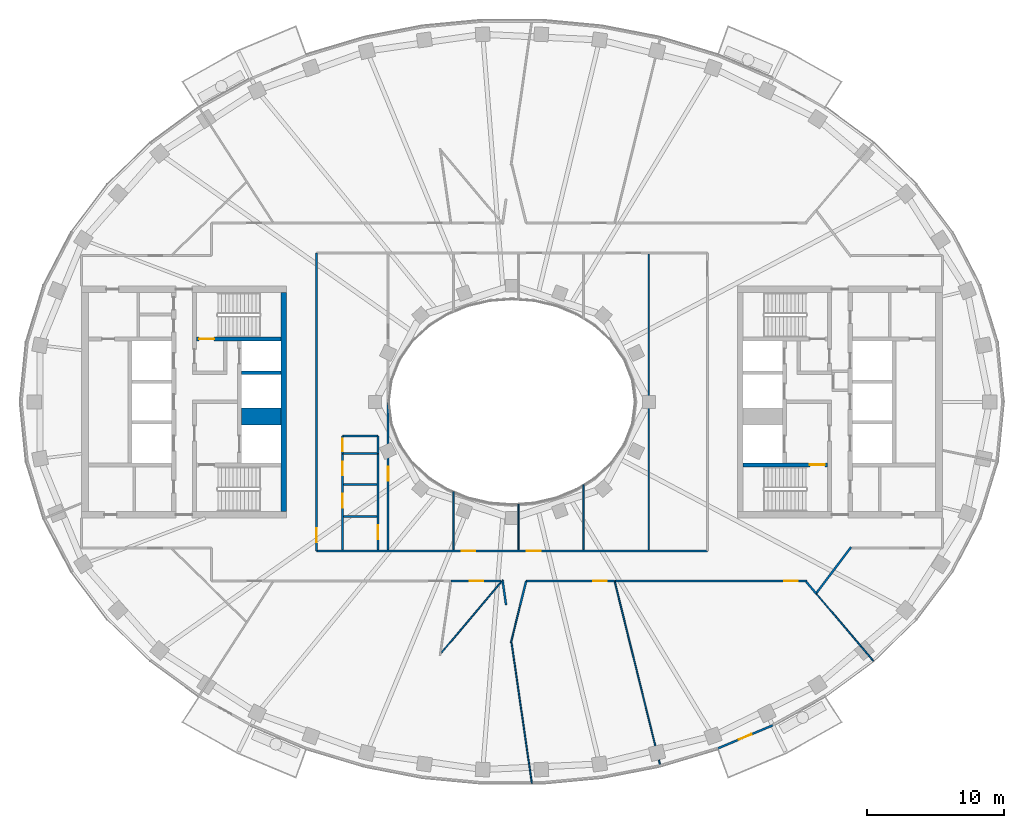
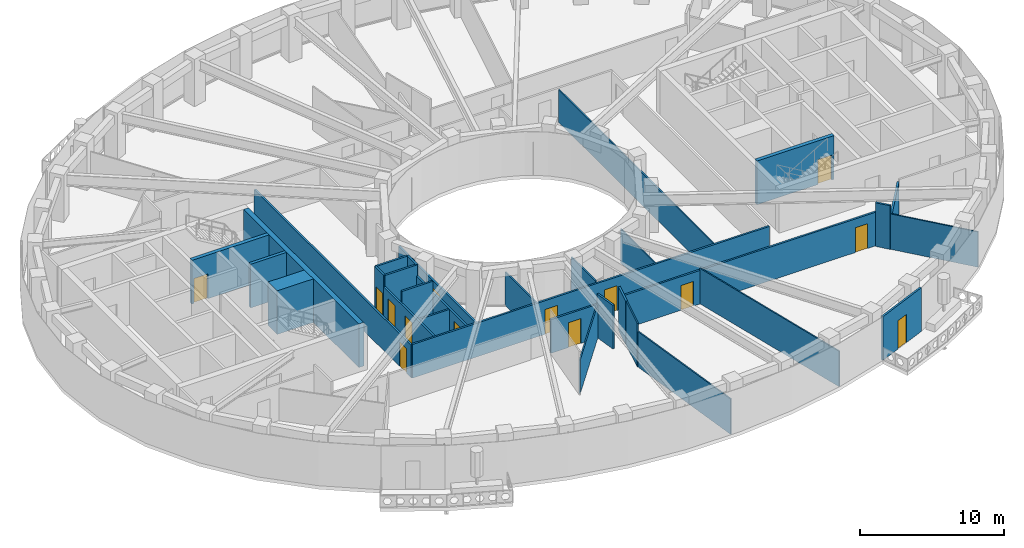
# One storey, part 4 of 15: 33 walls, 14 doors, 14 openings.
"""IFC4 building model written with IfcOpenShell, lengths in metres."""

from ifc_helpers import new_model, si_unit, direction, frame, frame_2d, origin, place, context, subcontext, project, spatial, rectangle, extrude, material, layer, layer_set, type_object, element, fill, save


model = new_model("IFC4")

# Units and contexts
model_context = context("Model", 3, precision=1e-05, world=origin(), true_north=direction((0.0, 1.0)))
body_context = subcontext(model_context, "Body", "Model", "MODEL_VIEW")
ifc_project = project(units=[si_unit("LENGTHUNIT", "METRE"), si_unit("AREAUNIT", "SQUARE_METRE"), si_unit("VOLUMEUNIT", "CUBIC_METRE"), si_unit("PLANEANGLEUNIT", "RADIAN"), si_unit("MASSUNIT", "GRAM", prefix="KILO")], contexts=[model_context])

# Site, building, storey
site_placement = place(None, origin())
site = spatial("IfcSite", under=ifc_project, at=site_placement, CompositionType="ELEMENT")
building_placement = place(site_placement, origin())
building = spatial("IfcBuilding", under=site, at=building_placement, Name="Noorbagh Ring Tower", CompositionType="ELEMENT")
storey_placement = place(building_placement, frame((0.0, 0.0, 265.5)))
storey = spatial("IfcBuildingStorey", under=building, at=storey_placement, Name="L56", CompositionType="ELEMENT", Elevation=265.5)

# Wall, opening, door
ifc_material_1 = material(Name="Gypsum board on steel studs", Category="steel")
ifc_layer_1 = layer(ifc_material_1, 0.14990234375)
ifc_layer_set_1 = layer_set([ifc_layer_1], Name="Gypsum board on steel studs")
wall_type_1 = type_object("IfcWallType", Name="COMPARTMENT PARTITION 150 EI 60", PredefinedType="PARTITIONING", material=ifc_layer_set_1)
wall_1_placement = place(storey_placement, frame((-12.39990234375, -3.760009765625, 0.0), z_axis=(0.0, 0.0, 1.0), x_axis=(0.0, 1.0, 0.0)))
wall_1 = element("IfcWall", 1, at=wall_1_placement, inside=storey, type_object=wall_type_1, Name="L56/wall/P20", PredefinedType="PARTITIONING", context=body_context, shape_type="SweptSolid", body=[
    extrude(rectangle(XDim=1.260009765625, YDim=0.14990234375, at=frame_2d((0.6298828125, 0.0))), origin(), (0.0, 0.0, 1.0), 3.699951171875),
])
opening_1_placement = place(wall_1_placement, frame((0.14990234375, 0.0, 0.0)))
opening_1 = element("IfcOpeningElement", 2, at=opening_1_placement, cuts=wall_1, Name="Opening D4", PredefinedType="OPENING", context=body_context, shape_type="SweptSolid", body=[
    extrude(rectangle(XDim=0.89990234375, YDim=2.10009765625, at=frame_2d((0.449951171875, 1.050048828125))), frame((0.0, 0.0849609375, 0.0), z_axis=(0.0, -1.0, 0.0), x_axis=(1.0, 0.0, 0.0)), (0.0, 0.0, 1.0), 0.169921875),
])
ifc_material_2 = material(Name="Timber, painted", Category="wood")
door_type_1 = type_object("IfcDoorType", Name="DOOR 900 X 2100 FD60", OperationType="SINGLE_SWING_LEFT", PredefinedType="DOOR", material=ifc_material_2)
door_1_placement = place(opening_1_placement, origin())
door_1 = element("IfcDoor", 3, at=door_1_placement, inside=storey, type_object=door_type_1, Name="L56-D05", OperationType="SINGLE_SWING_LEFT", OverallHeight=2.10009765625, OverallWidth=0.89990234375, PredefinedType="DOOR", context=body_context, shape_type="SweptSolid", body=[
    extrude(rectangle(XDim=0.89990234375, YDim=2.10009765625, at=frame_2d((0.449951171875, 1.050048828125))), frame((0.0, 0.02490234375, 0.0), z_axis=(0.0, -1.0, 0.0), x_axis=(1.0, 0.0, 0.0)), (0.0, 0.0, 1.0), 0.050048828125),
])
fill(opening_1, door_1)

# Walls
wall_2_placement = place(storey_placement, frame((-12.39990234375, -3.760009765625, 0.0), z_axis=(0.0, 0.0, 1.0), x_axis=(1.0, 0.0, 0.0)))
element("IfcWall", 4, at=wall_2_placement, inside=storey, type_object=wall_type_1, Name="L56/wall/P21", PredefinedType="PARTITIONING", context=body_context, shape_type="SweptSolid", body=[
    extrude(rectangle(XDim=2.599853515625, YDim=0.14990234375, at=frame_2d((1.2998046875, 0.0))), origin(), (0.0, 0.0, 1.0), 3.699951171875),
])
wall_3_placement = place(storey_placement, frame((-12.39990234375, -2.5, 0.0), z_axis=(0.0, 0.0, 1.0), x_axis=(1.0, 0.0, 0.0)))
element("IfcWall", 5, at=wall_3_placement, inside=storey, type_object=wall_type_1, Name="L56/wall/P22", PredefinedType="PARTITIONING", context=body_context, shape_type="SweptSolid", body=[
    extrude(rectangle(XDim=2.595947265625, YDim=0.14990234375, at=frame_2d((1.2978515625, 0.0))), origin(), (0.0, 0.0, 1.0), 3.699951171875),
])
wall_4_placement = place(storey_placement, frame((-9.800048828125, -3.760009765625, 0.0), z_axis=(0.0, 0.0, 1.0), x_axis=(0.0, 1.0, 0.0)))
element("IfcWall", 6, at=wall_4_placement, inside=storey, type_object=wall_type_1, Name="L56/wall/P24", PredefinedType="PARTITIONING", context=body_context, shape_type="SweptSolid", body=[
    extrude(rectangle(XDim=1.256103515625, YDim=0.14990234375, at=frame_2d((0.6279296875, 0.0))), origin(), (0.0, 0.0, 1.0), 3.699951171875),
])
ifc_material_3 = material(Name="Concrete C60/75", Category="concrete")
ifc_layer_2 = layer(ifc_material_3, 1.25)
ifc_layer_set_2 = layer_set([ifc_layer_2], Name="Concrete C60/75")
wall_type_2 = type_object("IfcWallType", Name="CORE-WALL-1250-C60-75-EI120", PredefinedType="SHEAR", material=ifc_layer_set_2)
wall_5_placement = place(storey_placement, frame((-16.89990234375, -1.074951171875, 0.0), z_axis=(0.0, 0.0, 1.0), x_axis=(-1.0, 0.0, 0.0)))
element("IfcWall", 7, at=wall_5_placement, inside=storey, type_object=wall_type_2, Name="Core wall W", PredefinedType="SHEAR", context=body_context, shape_type="SweptSolid", body=[
    extrude(rectangle(XDim=2.900146484375, YDim=1.25, at=frame_2d((1.4501953125, 0.0))), origin(), (0.0, 0.0, 1.0), 3.699951171875),
])
ifc_material_4 = material(Name="Concrete C60/75", Category="concrete")
ifc_layer_3 = layer(ifc_material_4, 0.25)
ifc_layer_set_3 = layer_set([ifc_layer_3], Name="Concrete C60/75")
wall_type_3 = type_object("IfcWallType", Name="CORE-WALL-250-C60-75-EI120", PredefinedType="SHEAR", material=ifc_layer_set_3)
wall_6_placement = place(storey_placement, frame((-16.89990234375, 2.125, 0.0), z_axis=(0.0, 0.0, 1.0), x_axis=(-1.0, 0.0, 0.0)))
element("IfcWall", 8, at=wall_6_placement, inside=storey, type_object=wall_type_3, Name="Core wall W", PredefinedType="SHEAR", context=body_context, shape_type="SweptSolid", body=[
    extrude(rectangle(XDim=2.900146484375, YDim=0.25, at=frame_2d((1.4501953125, 0.0))), origin(), (0.0, 0.0, 1.0), 3.699951171875),
])

# Wall, opening, door
ifc_material_5 = material(Name="Concrete C60/75", Category="concrete")
ifc_layer_4 = layer(ifc_material_5, 0.300048828125)
ifc_layer_set_4 = layer_set([ifc_layer_4], Name="Concrete C60/75")
wall_type_4 = type_object("IfcWallType", Name="CORE-WALL-300-C60-75-EI240", PredefinedType="SHEAR", material=ifc_layer_set_4)
wall_7_placement = place(storey_placement, frame((-16.89990234375, 4.60009765625, 0.0), z_axis=(0.0, 0.0, 1.0), x_axis=(-1.0, 0.0, 0.0)))
wall_7 = element("IfcWall", 9, at=wall_7_placement, inside=storey, type_object=wall_type_4, Name="Core wall W", PredefinedType="SHEAR", context=body_context, shape_type="SweptSolid", body=[
    extrude(rectangle(XDim=6.18017578125, YDim=0.300048828125, at=frame_2d((3.090087890625, 0.0))), origin(), (0.0, 0.0, 1.0), 3.699951171875),
])
opening_2_placement = place(wall_7_placement, frame((4.89990234375, 0.0, 0.0)))
opening_2 = element("IfcOpeningElement", 10, at=opening_2_placement, cuts=wall_7, Name="Opening L56-CW06", PredefinedType="OPENING", context=body_context, shape_type="SweptSolid", body=[
    extrude(rectangle(XDim=1.10009765625, YDim=2.10009765625, at=frame_2d((0.550048828125, 1.050048828125))), frame((0.0, 0.16015625, 0.0), z_axis=(0.0, -1.0, 0.0), x_axis=(1.0, 0.0, 0.0)), (0.0, 0.0, 1.0), 0.320068359375),
])
ifc_material_6 = material(Name="Steel door leaf", Category="steel")
door_type_2 = type_object("IfcDoorType", Name="CORE-DOOR-DSTAIR", OperationType="SINGLE_SWING_LEFT", PredefinedType="DOOR", material=ifc_material_6)
door_2_placement = place(opening_2_placement, origin())
door_2 = element("IfcDoor", 11, at=door_2_placement, inside=storey, type_object=door_type_2, Name="Stair door ST1 L56-CW06", OperationType="SINGLE_SWING_RIGHT", OverallHeight=2.10009765625, OverallWidth=1.10009765625, PredefinedType="DOOR", context=body_context, shape_type="SweptSolid", body=[
    extrude(rectangle(XDim=1.10009765625, YDim=2.10009765625, at=frame_2d((0.550048828125, 1.050048828125))), frame((0.0, 0.02490234375, 0.0), z_axis=(0.0, -1.0, 0.0), x_axis=(1.0, 0.0, 0.0)), (0.0, 0.0, 1.0), 0.050048828125),
])
fill(opening_2, door_2)

wall_8_placement = place(storey_placement, frame((16.89990234375, -4.60009765625, 0.0), z_axis=(0.0, 0.0, 1.0), x_axis=(1.0, 0.0, 0.0)))
wall_8 = element("IfcWall", 12, at=wall_8_placement, inside=storey, type_object=wall_type_4, Name="Core wall E", PredefinedType="SHEAR", context=body_context, shape_type="SweptSolid", body=[
    extrude(rectangle(XDim=6.18017578125, YDim=0.300048828125, at=frame_2d((3.090087890625, 0.0))), origin(), (0.0, 0.0, 1.0), 3.699951171875),
])
opening_3_placement = place(wall_8_placement, frame((4.89990234375, 0.0, 0.0)))
opening_3 = element("IfcOpeningElement", 13, at=opening_3_placement, cuts=wall_8, Name="Opening L56-CE08", PredefinedType="OPENING", context=body_context, shape_type="SweptSolid", body=[
    extrude(rectangle(XDim=1.10009765625, YDim=2.10009765625, at=frame_2d((0.550048828125, 1.050048828125))), frame((0.0, 0.16015625, 0.0), z_axis=(0.0, -1.0, 0.0), x_axis=(1.0, 0.0, 0.0)), (0.0, 0.0, 1.0), 0.320068359375),
])
door_3_placement = place(opening_3_placement, origin())
door_3 = element("IfcDoor", 14, at=door_3_placement, inside=storey, type_object=door_type_2, Name="Stair door ST4 L56-CE08", OperationType="SINGLE_SWING_RIGHT", OverallHeight=2.10009765625, OverallWidth=1.10009765625, PredefinedType="DOOR", context=body_context, shape_type="SweptSolid", body=[
    extrude(rectangle(XDim=1.10009765625, YDim=2.10009765625, at=frame_2d((0.550048828125, 1.050048828125))), frame((0.0, 0.02490234375, 0.0), z_axis=(0.0, -1.0, 0.0), x_axis=(1.0, 0.0, 0.0)), (0.0, 0.0, 1.0), 0.050048828125),
])
fill(opening_3, door_3)

# Wall
ifc_material_7 = material(Name="Concrete C60/75", Category="concrete")
ifc_layer_5 = layer(ifc_material_7, 0.39990234375)
ifc_layer_set_5 = layer_set([ifc_layer_5], Name="Concrete C60/75")
wall_type_5 = type_object("IfcWallType", Name="CORE-WALL-400-C60-75-EI240", PredefinedType="SHEAR", material=ifc_layer_set_5)
wall_9_placement = place(storey_placement, frame((-16.699951171875, -8.0, 0.0), z_axis=(0.0, 0.0, 1.0), x_axis=(0.0, 1.0, 0.0)))
element("IfcWall", 15, at=wall_9_placement, inside=storey, type_object=wall_type_5, Name="Core wall W", PredefinedType="SHEAR", context=body_context, shape_type="SweptSolid", body=[
    extrude(rectangle(XDim=16.0, YDim=0.39990234375, at=frame_2d((8.0, 0.0))), origin(), (0.0, 0.0, 1.0), 3.699951171875),
])

# Wall, opening, door
ifc_material_8 = material(Name="Gypsum board on steel studs", Category="steel")
ifc_layer_6 = layer(ifc_material_8, 0.14990234375)
ifc_layer_set_6 = layer_set([ifc_layer_6], Name="Gypsum board on steel studs")
wall_type_6 = type_object("IfcWallType", Name="CORRIDOR PARTITION 150 EI 30", PredefinedType="PARTITIONING", material=ifc_layer_set_6)
wall_10_placement = place(storey_placement, frame((-14.300048828125, -10.89990234375, 0.0), z_axis=(0.0, 0.0, 1.0), x_axis=(0.0, 1.0, 0.0)))
wall_10 = element("IfcWall", 16, at=wall_10_placement, inside=storey, type_object=wall_type_6, Name="L56/wall/P14", PredefinedType="PARTITIONING", context=body_context, shape_type="SweptSolid", body=[
    extrude(rectangle(XDim=21.7998046875, YDim=0.14990234375, at=frame_2d((10.89990234375, 0.0))), origin(), (0.0, 0.0, 1.0), 2.75),
])
opening_4_placement = place(wall_10_placement, frame((0.64990234375, 0.0, 0.0)))
opening_4 = element("IfcOpeningElement", 17, at=opening_4_placement, cuts=wall_10, Name="Opening D1", PredefinedType="OPENING", context=body_context, shape_type="SweptSolid", body=[
    extrude(rectangle(XDim=1.0, YDim=2.10009765625, at=frame_2d((0.5, 1.050048828125))), frame((0.0, 0.0849609375, 0.0), z_axis=(0.0, -1.0, 0.0), x_axis=(1.0, 0.0, 0.0)), (0.0, 0.0, 1.0), 0.169921875),
])
ifc_material_9 = material(Name="Timber, painted", Category="wood")
door_type_3 = type_object("IfcDoorType", Name="DOOR 1000 X 2100 FD30", OperationType="SINGLE_SWING_LEFT", PredefinedType="DOOR", material=ifc_material_9)
door_4_placement = place(opening_4_placement, origin())
door_4 = element("IfcDoor", 18, at=door_4_placement, inside=storey, type_object=door_type_3, Name="L56-D01", OperationType="SINGLE_SWING_LEFT", OverallHeight=2.10009765625, OverallWidth=1.0, PredefinedType="DOOR", context=body_context, shape_type="SweptSolid", body=[
    extrude(rectangle(XDim=1.0, YDim=2.10009765625, at=frame_2d((0.5, 1.050048828125))), frame((0.0, 0.02490234375, 0.0), z_axis=(0.0, -1.0, 0.0), x_axis=(1.0, 0.0, 0.0)), (0.0, 0.0, 1.0), 0.050048828125),
])
fill(opening_4, door_4)

# Wall, openings, doors
wall_11_placement = place(storey_placement, frame((-14.300048828125, -10.89990234375, 0.0), z_axis=(0.0, 0.0, 1.0), x_axis=(1.0, 0.0, 0.0)))
wall_11 = element("IfcWall", 19, at=wall_11_placement, inside=storey, type_object=wall_type_6, Name="L56/wall/P15", PredefinedType="PARTITIONING", context=body_context, shape_type="SweptSolid", body=[
    extrude(rectangle(XDim=28.60009765625, YDim=0.14990234375, at=frame_2d((14.300048828125, 0.0))), origin(), (0.0, 0.0, 1.0), 2.85009765625),
])
opening_5_placement = place(wall_11_placement, frame((10.626953125, 0.0, 0.0)))
opening_5 = element("IfcOpeningElement", 20, at=opening_5_placement, cuts=wall_11, Name="Opening D1", PredefinedType="OPENING", context=body_context, shape_type="SweptSolid", body=[
    extrude(rectangle(XDim=1.0, YDim=2.10009765625, at=frame_2d((0.5, 1.050048828125))), frame((0.0, 0.0849609375, 0.0), z_axis=(0.0, -1.0, 0.0), x_axis=(1.0, 0.0, 0.0)), (0.0, 0.0, 1.0), 0.169921875),
])
opening_6_placement = place(wall_11_placement, frame((15.39306640625, 0.0, 0.0)))
opening_6 = element("IfcOpeningElement", 21, at=opening_6_placement, cuts=wall_11, Name="Opening D1", PredefinedType="OPENING", context=body_context, shape_type="SweptSolid", body=[
    extrude(rectangle(XDim=1.0, YDim=2.10009765625, at=frame_2d((0.5, 1.050048828125))), frame((0.0, 0.0849609375, 0.0), z_axis=(0.0, -1.0, 0.0), x_axis=(1.0, 0.0, 0.0)), (0.0, 0.0, 1.0), 0.169921875),
])
door_5_placement = place(opening_5_placement, origin())
door_5 = element("IfcDoor", 22, at=door_5_placement, inside=storey, type_object=door_type_3, Name="L56-D22", OperationType="SINGLE_SWING_RIGHT", OverallHeight=2.10009765625, OverallWidth=1.0, PredefinedType="DOOR", context=body_context, shape_type="SweptSolid", body=[
    extrude(rectangle(XDim=1.0, YDim=2.10009765625, at=frame_2d((0.5, 1.050048828125))), frame((0.0, 0.02490234375, 0.0), z_axis=(0.0, -1.0, 0.0), x_axis=(1.0, 0.0, 0.0)), (0.0, 0.0, 1.0), 0.050048828125),
])
fill(opening_5, door_5)
door_6_placement = place(opening_6_placement, origin())
door_6 = element("IfcDoor", 23, at=door_6_placement, inside=storey, type_object=door_type_3, Name="L56-D24", OperationType="SINGLE_SWING_RIGHT", OverallHeight=2.10009765625, OverallWidth=1.0, PredefinedType="DOOR", context=body_context, shape_type="SweptSolid", body=[
    extrude(rectangle(XDim=1.0, YDim=2.10009765625, at=frame_2d((0.5, 1.050048828125))), frame((0.0, 0.02490234375, 0.0), z_axis=(0.0, -1.0, 0.0), x_axis=(1.0, 0.0, 0.0)), (0.0, 0.0, 1.0), 0.050048828125),
])
fill(opening_6, door_6)

wall_12_placement = place(storey_placement, frame((-12.39990234375, -10.824951171875, 0.0), z_axis=(0.0, 0.0, 1.0), x_axis=(0.0, 1.0, 0.0)))
wall_12 = element("IfcWall", 24, at=wall_12_placement, inside=storey, type_object=wall_type_6, Name="L56/wall/P17", PredefinedType="PARTITIONING", context=body_context, shape_type="SweptSolid", body=[
    extrude(rectangle(XDim=7.06494140625, YDim=0.14990234375, at=frame_2d((3.532470703125, 0.0))), origin(), (0.0, 0.0, 1.0), 2.75),
])
opening_7_placement = place(wall_12_placement, frame((3.094970703125, 0.0, 0.0)))
opening_7 = element("IfcOpeningElement", 25, at=opening_7_placement, cuts=wall_12, Name="Opening D3", PredefinedType="OPENING", context=body_context, shape_type="SweptSolid", body=[
    extrude(rectangle(XDim=1.0, YDim=2.10009765625, at=frame_2d((0.5, 1.050048828125))), frame((0.0, 0.0849609375, 0.0), z_axis=(0.0, -1.0, 0.0), x_axis=(1.0, 0.0, 0.0)), (0.0, 0.0, 1.0), 0.169921875),
])
opening_8_placement = place(wall_12_placement, frame((5.447021484375, 0.0, 0.0)))
opening_8 = element("IfcOpeningElement", 26, at=opening_8_placement, cuts=wall_12, Name="Opening D3", PredefinedType="OPENING", context=body_context, shape_type="SweptSolid", body=[
    extrude(rectangle(XDim=1.0, YDim=2.10009765625, at=frame_2d((0.5, 1.050048828125))), frame((0.0, 0.0849609375, 0.0), z_axis=(0.0, -1.0, 0.0), x_axis=(1.0, 0.0, 0.0)), (0.0, 0.0, 1.0), 0.169921875),
])
ifc_material_10 = material(Name="Timber, painted", Category="wood")
door_type_4 = type_object("IfcDoorType", Name="DOOR 1000 X 2100 WC", OperationType="SINGLE_SWING_LEFT", PredefinedType="DOOR", material=ifc_material_10)
door_7_placement = place(opening_7_placement, origin())
door_7 = element("IfcDoor", 27, at=door_7_placement, inside=storey, type_object=door_type_4, Name="L56-D03", OperationType="SINGLE_SWING_LEFT", OverallHeight=2.10009765625, OverallWidth=1.0, PredefinedType="DOOR", context=body_context, shape_type="SweptSolid", body=[
    extrude(rectangle(XDim=1.0, YDim=2.10009765625, at=frame_2d((0.5, 1.050048828125))), frame((0.0, 0.02490234375, 0.0), z_axis=(0.0, -1.0, 0.0), x_axis=(1.0, 0.0, 0.0)), (0.0, 0.0, 1.0), 0.050048828125),
])
fill(opening_7, door_7)
door_8_placement = place(opening_8_placement, origin())
door_8 = element("IfcDoor", 28, at=door_8_placement, inside=storey, type_object=door_type_4, Name="L56-D04", OperationType="SINGLE_SWING_RIGHT", OverallHeight=2.10009765625, OverallWidth=1.0, PredefinedType="DOOR", context=body_context, shape_type="SweptSolid", body=[
    extrude(rectangle(XDim=1.0, YDim=2.10009765625, at=frame_2d((0.5, 1.050048828125))), frame((0.0, 0.02490234375, 0.0), z_axis=(0.0, -1.0, 0.0), x_axis=(1.0, 0.0, 0.0)), (0.0, 0.0, 1.0), 0.050048828125),
])
fill(opening_8, door_8)

# Walls
wall_13_placement = place(storey_placement, frame((-12.324951171875, -8.3798828125, 0.0), z_axis=(0.0, 0.0, 1.0), x_axis=(1.0, 0.0, 0.0)))
element("IfcWall", 29, at=wall_13_placement, inside=storey, type_object=wall_type_6, Name="L56/wall/P18", PredefinedType="PARTITIONING", context=body_context, shape_type="SweptSolid", body=[
    extrude(rectangle(XDim=2.449951171875, YDim=0.14990234375, at=frame_2d((1.22509765625, 0.0))), origin(), (0.0, 0.0, 1.0), 2.75),
])
wall_14_placement = place(storey_placement, frame((-12.324951171875, -6.028076171875, 0.0), z_axis=(0.0, 0.0, 1.0), x_axis=(1.0, 0.0, 0.0)))
element("IfcWall", 30, at=wall_14_placement, inside=storey, type_object=wall_type_6, Name="L56/wall/P19", PredefinedType="PARTITIONING", context=body_context, shape_type="SweptSolid", body=[
    extrude(rectangle(XDim=2.449951171875, YDim=0.14990234375, at=frame_2d((1.22509765625, 0.0))), origin(), (0.0, 0.0, 1.0), 3.699951171875),
])

# Wall, opening, door
wall_15_placement = place(storey_placement, frame((-9.800048828125, -10.824951171875, 0.0), z_axis=(0.0, 0.0, 1.0), x_axis=(0.0, 1.0, 0.0)))
wall_15 = element("IfcWall", 31, at=wall_15_placement, inside=storey, type_object=wall_type_6, Name="L56/wall/P23", PredefinedType="PARTITIONING", context=body_context, shape_type="SweptSolid", body=[
    extrude(rectangle(XDim=7.06494140625, YDim=0.14990234375, at=frame_2d((3.532470703125, 0.0))), origin(), (0.0, 0.0, 1.0), 2.75),
])
opening_9_placement = place(wall_15_placement, frame((0.794921875, 0.0, 0.0)))
opening_9 = element("IfcOpeningElement", 32, at=opening_9_placement, cuts=wall_15, Name="Opening D3", PredefinedType="OPENING", context=body_context, shape_type="SweptSolid", body=[
    extrude(rectangle(XDim=1.0, YDim=2.10009765625, at=frame_2d((0.5, 1.050048828125))), frame((0.0, 0.0849609375, 0.0), z_axis=(0.0, -1.0, 0.0), x_axis=(1.0, 0.0, 0.0)), (0.0, 0.0, 1.0), 0.169921875),
])
door_9_placement = place(opening_9_placement, origin())
door_9 = element("IfcDoor", 33, at=door_9_placement, inside=storey, type_object=door_type_4, Name="L56-D02", OperationType="SINGLE_SWING_RIGHT", OverallHeight=2.10009765625, OverallWidth=1.0, PredefinedType="DOOR", context=body_context, shape_type="SweptSolid", body=[
    extrude(rectangle(XDim=1.0, YDim=2.10009765625, at=frame_2d((0.5, 1.050048828125))), frame((0.0, 0.02490234375, 0.0), z_axis=(0.0, -1.0, 0.0), x_axis=(1.0, 0.0, 0.0)), (0.0, 0.0, 1.0), 0.050048828125),
])
fill(opening_9, door_9)

wall_16_placement = place(storey_placement, frame((-9.056884765625, -10.824951171875, 0.0), z_axis=(0.0, 0.0, 1.0), x_axis=(0.0, 1.0, 0.0)))
wall_16 = element("IfcWall", 34, at=wall_16_placement, inside=storey, type_object=wall_type_6, Name="L56/wall/P25", PredefinedType="PARTITIONING", context=body_context, shape_type="SweptSolid", body=[
    extrude(rectangle(XDim=10.780029296875, YDim=0.14990234375, at=frame_2d((5.39013671875, 0.0))), origin(), (0.0, 0.0, 1.0), 2.75),
])
opening_10_placement = place(wall_16_placement, frame((5.074951171875, 0.0, 0.0)))
opening_10 = element("IfcOpeningElement", 35, at=opening_10_placement, cuts=wall_16, Name="Opening D1", PredefinedType="OPENING", context=body_context, shape_type="SweptSolid", body=[
    extrude(rectangle(XDim=1.0, YDim=2.10009765625, at=frame_2d((0.5, 1.050048828125))), frame((0.0, 0.0849609375, 0.0), z_axis=(0.0, -1.0, 0.0), x_axis=(1.0, 0.0, 0.0)), (0.0, 0.0, 1.0), 0.169921875),
])
door_10_placement = place(opening_10_placement, origin())
door_10 = element("IfcDoor", 36, at=door_10_placement, inside=storey, type_object=door_type_3, Name="L56-D20", OperationType="SINGLE_SWING_RIGHT", OverallHeight=2.10009765625, OverallWidth=1.0, PredefinedType="DOOR", context=body_context, shape_type="SweptSolid", body=[
    extrude(rectangle(XDim=1.0, YDim=2.10009765625, at=frame_2d((0.5, 1.050048828125))), frame((0.0, 0.02490234375, 0.0), z_axis=(0.0, -1.0, 0.0), x_axis=(1.0, 0.0, 0.0)), (0.0, 0.0, 1.0), 0.050048828125),
])
fill(opening_10, door_10)

wall_17_placement = place(storey_placement, frame((-4.472900390625, -13.10009765625, 0.0), z_axis=(0.0, 0.0, 1.0), x_axis=(1.0, 0.0, 0.0)))
wall_17 = element("IfcWall", 37, at=wall_17_placement, inside=storey, type_object=wall_type_6, Name="L56/wall/P31", PredefinedType="PARTITIONING", context=body_context, shape_type="SweptSolid", body=[
    extrude(rectangle(XDim=3.679931640625, YDim=0.14990234375, at=frame_2d((1.83984375, 0.0))), origin(), (0.0, 0.0, 1.0), 2.85009765625),
])
opening_11_placement = place(wall_17_placement, frame((1.3798828125, 0.0, 0.0)))
opening_11 = element("IfcOpeningElement", 38, at=opening_11_placement, cuts=wall_17, Name="Opening D1", PredefinedType="OPENING", context=body_context, shape_type="SweptSolid", body=[
    extrude(rectangle(XDim=1.0, YDim=2.10009765625, at=frame_2d((0.5, 1.050048828125))), frame((0.0, 0.0849609375, 0.0), z_axis=(0.0, -1.0, 0.0), x_axis=(1.0, 0.0, 0.0)), (0.0, 0.0, 1.0), 0.169921875),
])
door_11_placement = place(opening_11_placement, origin())
door_11 = element("IfcDoor", 39, at=door_11_placement, inside=storey, type_object=door_type_3, Name="L56-D12", OperationType="SINGLE_SWING_RIGHT", OverallHeight=2.10009765625, OverallWidth=1.0, PredefinedType="DOOR", context=body_context, shape_type="SweptSolid", body=[
    extrude(rectangle(XDim=1.0, YDim=2.10009765625, at=frame_2d((0.5, 1.050048828125))), frame((0.0, 0.02490234375, 0.0), z_axis=(0.0, -1.0, 0.0), x_axis=(1.0, 0.0, 0.0)), (0.0, 0.0, 1.0), 0.050048828125),
])
fill(opening_11, door_11)

# Walls
wall_18_placement = place(storey_placement, frame((-0.68603515625, -13.10009765625, 0.0), z_axis=(0.0, 0.0, 1.0), x_axis=(0.143329398439, -0.989675039366, 0.0)))
element("IfcWall", 40, at=wall_18_placement, inside=storey, type_object=wall_type_6, Name="L56/wall/P35", PredefinedType="PARTITIONING", context=body_context, shape_type="SweptSolid", body=[
    extrude(rectangle(XDim=1.773193359375, YDim=0.14990234375, at=frame_2d((0.88671875, 0.0))), origin(), (0.0, 0.0, 1.0), 3.699951171875),
])
wall_19_placement = place(storey_placement, frame((0.597900390625, -14.8740234375, 0.0), z_axis=(0.0, 0.0, 1.0), x_axis=(0.239705101821, 0.970845746842, 0.0)))
element("IfcWall", 41, at=wall_19_placement, inside=storey, type_object=wall_type_6, Name="L56/wall/P43", PredefinedType="PARTITIONING", context=body_context, shape_type="SweptSolid", body=[
    extrude(rectangle(XDim=1.8271484375, YDim=0.14990234375, at=frame_2d((0.91357421875, 0.0))), origin(), (0.0, 0.0, 1.0), 3.699951171875),
])

# Wall, opening, door
wall_20_placement = place(storey_placement, frame((1.035888671875, -13.10009765625, 0.0), z_axis=(0.0, 0.0, 1.0), x_axis=(1.0, 0.0, 0.0)))
wall_20 = element("IfcWall", 42, at=wall_20_placement, inside=storey, type_object=wall_type_6, Name="L56/wall/P45", PredefinedType="PARTITIONING", context=body_context, shape_type="SweptSolid", body=[
    extrude(rectangle(XDim=6.47119140625, YDim=0.14990234375, at=frame_2d((3.235595703125, 0.0))), origin(), (0.0, 0.0, 1.0), 2.85009765625),
])
opening_12_placement = place(wall_20_placement, frame((4.89990234375, 0.0, 0.0)))
opening_12 = element("IfcOpeningElement", 43, at=opening_12_placement, cuts=wall_20, Name="Opening D1", PredefinedType="OPENING", context=body_context, shape_type="SweptSolid", body=[
    extrude(rectangle(XDim=1.0, YDim=2.10009765625, at=frame_2d((0.5, 1.050048828125))), frame((0.0, 0.0849609375, 0.0), z_axis=(0.0, -1.0, 0.0), x_axis=(1.0, 0.0, 0.0)), (0.0, 0.0, 1.0), 0.169921875),
])
door_12_placement = place(opening_12_placement, origin())
door_12 = element("IfcDoor", 44, at=door_12_placement, inside=storey, type_object=door_type_3, Name="L56-D14", OperationType="SINGLE_SWING_RIGHT", OverallHeight=2.10009765625, OverallWidth=1.0, PredefinedType="DOOR", context=body_context, shape_type="SweptSolid", body=[
    extrude(rectangle(XDim=1.0, YDim=2.10009765625, at=frame_2d((0.5, 1.050048828125))), frame((0.0, 0.02490234375, 0.0), z_axis=(0.0, -1.0, 0.0), x_axis=(1.0, 0.0, 0.0)), (0.0, 0.0, 1.0), 0.050048828125),
])
fill(opening_12, door_12)

wall_21_placement = place(storey_placement, frame((7.52392578125, -13.10009765625, 0.0), z_axis=(0.0, 0.0, 1.0), x_axis=(1.0, 0.0, 0.0)))
wall_21 = element("IfcWall", 45, at=wall_21_placement, inside=storey, type_object=wall_type_6, Name="L56/wall/P51", PredefinedType="PARTITIONING", context=body_context, shape_type="SweptSolid", body=[
    extrude(rectangle(XDim=14.052001953125, YDim=0.14990234375, at=frame_2d((7.02587890625, 0.0))), origin(), (0.0, 0.0, 1.0), 2.85009765625),
])
opening_13_placement = place(wall_21_placement, frame((12.383056640625, 0.0, 0.0)))
opening_13 = element("IfcOpeningElement", 46, at=opening_13_placement, cuts=wall_21, Name="Opening D1", PredefinedType="OPENING", context=body_context, shape_type="SweptSolid", body=[
    extrude(rectangle(XDim=1.0, YDim=2.10009765625, at=frame_2d((0.5, 1.050048828125))), frame((0.0, 0.0849609375, 0.0), z_axis=(0.0, -1.0, 0.0), x_axis=(1.0, 0.0, 0.0)), (0.0, 0.0, 1.0), 0.169921875),
])
door_13_placement = place(opening_13_placement, origin())
door_13 = element("IfcDoor", 47, at=door_13_placement, inside=storey, type_object=door_type_3, Name="L56-D16", OperationType="SINGLE_SWING_RIGHT", OverallHeight=2.10009765625, OverallWidth=1.0, PredefinedType="DOOR", context=body_context, shape_type="SweptSolid", body=[
    extrude(rectangle(XDim=1.0, YDim=2.10009765625, at=frame_2d((0.5, 1.050048828125))), frame((0.0, 0.02490234375, 0.0), z_axis=(0.0, -1.0, 0.0), x_axis=(1.0, 0.0, 0.0)), (0.0, 0.0, 1.0), 0.050048828125),
])
fill(opening_13, door_13)

# Walls
wall_22_placement = place(storey_placement, frame((21.541015625, -13.175048828125, 0.0), z_axis=(0.0, 0.0, 1.0), x_axis=(0.646460291141, -0.762947633837, 0.0)))
element("IfcWall", 48, at=wall_22_placement, inside=storey, type_object=wall_type_6, Name="L56/wall/P55", PredefinedType="PARTITIONING", context=body_context, shape_type="SweptSolid", body=[
    extrude(rectangle(XDim=1.09814453125, YDim=0.14990234375, at=frame_2d((0.549072265625, 0.0))), origin(), (0.0, 0.0, 1.0), 3.699951171875),
])
wall_23_placement = place(storey_placement, frame((22.2509765625, -14.012939453125, 0.0), z_axis=(0.0, 0.0, 1.0), x_axis=(0.602435944628, 0.798167233492, 0.0)))
element("IfcWall", 49, at=wall_23_placement, inside=storey, type_object=wall_type_6, Name="L56/wall/P57", PredefinedType="PARTITIONING", context=body_context, shape_type="SweptSolid", body=[
    extrude(rectangle(XDim=4.24462890625, YDim=0.14990234375, at=frame_2d((2.122314453125, 0.0))), origin(), (0.0, 0.0, 1.0), 2.75),
])

# Wall, opening, door
ifc_material_11 = material(Name="Insulated aluminium clad panel", Category="aluminium")
ifc_layer_7 = layer(ifc_material_11, 0.14990234375)
ifc_layer_set_7 = layer_set([ifc_layer_7], Name="Insulated aluminium clad panel")
wall_type_7 = type_object("IfcWallType", Name="ENV-WALL-DOOR", PredefinedType="STANDARD", material=ifc_layer_set_7)
wall_24_placement = place(storey_placement, frame((15.017822265625, -25.368896484375, 0.0), z_axis=(0.0, 0.0, 1.0), x_axis=(0.921816985161, 0.387625393736, 0.0)))
wall_24 = element("IfcWall", 50, at=wall_24_placement, inside=storey, type_object=wall_type_7, Name="Balcony door wall chord 39", PredefinedType="STANDARD", context=body_context, shape_type="SweptSolid", body=[
    extrude(rectangle(XDim=4.42578125, YDim=0.14990234375, at=frame_2d((2.212890625, 0.0))), origin(), (0.0, 0.0, 1.0), 3.699951171875),
])
opening_14_placement = place(wall_24_placement, frame((1.712890625, 0.0, 0.0)))
opening_14 = element("IfcOpeningElement", 51, at=opening_14_placement, cuts=wall_24, Name="Opening D-BL", PredefinedType="OPENING", context=body_context, shape_type="SweptSolid", body=[
    extrude(rectangle(XDim=1.0, YDim=2.39990234375, at=frame_2d((0.5, 1.199951171875))), frame((0.0, 0.0849609375, 0.0), z_axis=(0.0, -1.0, 0.0), x_axis=(1.0, 0.0, 0.0)), (0.0, 0.0, 1.0), 0.169921875),
])
ifc_material_12 = material(Name="Aluminium and glass", Category="aluminium")
door_type_5 = type_object("IfcDoorType", Name="ENV-DOOR-BALCONY", OperationType="SINGLE_SWING_LEFT", PredefinedType="DOOR", material=ifc_material_12)
door_14_placement = place(opening_14_placement, origin())
door_14 = element("IfcDoor", 52, at=door_14_placement, inside=storey, type_object=door_type_5, Name="Balcony door chord 39", OperationType="SINGLE_SWING_LEFT", OverallHeight=2.39990234375, OverallWidth=1.0, PredefinedType="DOOR", context=body_context, shape_type="SweptSolid", body=[
    extrude(rectangle(XDim=1.0, YDim=2.39990234375, at=frame_2d((0.5, 1.199951171875))), frame((0.0, 0.02490234375, 0.0), z_axis=(0.0, -1.0, 0.0), x_axis=(1.0, 0.0, 0.0)), (0.0, 0.0, 1.0), 0.050048828125),
])
fill(opening_14, door_14)

# Walls
ifc_material_13 = material(Name="Gypsum board on steel studs", Category="steel")
ifc_layer_8 = layer(ifc_material_13, 0.10009765625)
ifc_layer_set_8 = layer_set([ifc_layer_8], Name="Gypsum board on steel studs")
wall_type_8 = type_object("IfcWallType", Name="PARTITION 100 GYPSUM", PredefinedType="PARTITIONING", material=ifc_layer_set_8)
wall_25_placement = place(storey_placement, frame((-5.18408203125, -18.367919921875, 0.0), z_axis=(0.0, 0.0, 1.0), x_axis=(0.646448441734, 0.762957673911, 0.0)))
element("IfcWall", 53, at=wall_25_placement, inside=storey, type_object=wall_type_8, Name="L56/wall/P28", PredefinedType="PARTITIONING", context=body_context, shape_type="SweptSolid", body=[
    extrude(rectangle(XDim=7.0029296875, YDim=0.10009765625, at=frame_2d((3.50146484375, 0.0))), origin(), (0.0, 0.0, 1.0), 2.85009765625),
])
wall_26_placement = place(storey_placement, frame((-4.2900390625, -10.824951171875, 0.0), z_axis=(0.0, 0.0, 1.0), x_axis=(0.0, 1.0, 0.0)))
element("IfcWall", 54, at=wall_26_placement, inside=storey, type_object=wall_type_8, Name="L56/wall/P33", PredefinedType="PARTITIONING", context=body_context, shape_type="SweptSolid", body=[
    extrude(rectangle(XDim=4.2568359375, YDim=0.10009765625, at=frame_2d((2.12841796875, 0.0))), origin(), (0.0, 0.0, 1.0), 2.85009765625),
])
wall_27_placement = place(storey_placement, frame((-0.08203125, -17.625, 0.0), z_axis=(0.0, 0.0, 1.0), x_axis=(0.23980869536, 0.970820163382, 0.0)))
element("IfcWall", 55, at=wall_27_placement, inside=storey, type_object=wall_type_8, Name="L56/wall/P38", PredefinedType="PARTITIONING", context=body_context, shape_type="SweptSolid", body=[
    extrude(rectangle(XDim=2.802734375, YDim=0.10009765625, at=frame_2d((1.4013671875, 0.0))), origin(), (0.0, 0.0, 1.0), 3.699951171875),
])
wall_28_placement = place(storey_placement, frame((-0.031005859375, -17.6279296875, 0.0), z_axis=(0.0, 0.0, 1.0), x_axis=(0.143055546046, -0.989714661276, 0.0)))
element("IfcWall", 56, at=wall_28_placement, inside=storey, type_object=wall_type_8, Name="L56/wall/P39", PredefinedType="PARTITIONING", context=body_context, shape_type="SweptSolid", body=[
    extrude(rectangle(XDim=10.372802734375, YDim=0.10009765625, at=frame_2d((5.1865234375, 0.0))), origin(), (0.0, 0.0, 1.0), 3.0),
])
wall_29_placement = place(storey_placement, frame((0.47705078125, -10.824951171875, 0.0), z_axis=(0.0, 0.0, 1.0), x_axis=(0.0, 1.0, 0.0)))
element("IfcWall", 57, at=wall_29_placement, inside=storey, type_object=wall_type_8, Name="L56/wall/P41", PredefinedType="PARTITIONING", context=body_context, shape_type="SweptSolid", body=[
    extrude(rectangle(XDim=3.35693359375, YDim=0.10009765625, at=frame_2d((1.678466796875, 0.0))), origin(), (0.0, 0.0, 1.0), 3.0),
])
wall_30_placement = place(storey_placement, frame((5.242919921875, -10.824951171875, 0.0), z_axis=(0.0, 0.0, 1.0), x_axis=(0.0, 1.0, 0.0)))
element("IfcWall", 58, at=wall_30_placement, inside=storey, type_object=wall_type_8, Name="L56/wall/P47", PredefinedType="PARTITIONING", context=body_context, shape_type="SweptSolid", body=[
    extrude(rectangle(XDim=4.765869140625, YDim=0.10009765625, at=frame_2d((2.3828125, 0.0))), origin(), (0.0, 0.0, 1.0), 2.85009765625),
])
wall_31_placement = place(storey_placement, frame((7.507080078125, -13.10009765625, 0.0), z_axis=(0.0, 0.0, 1.0), x_axis=(0.23986692401, -0.970805778086, 0.0)))
element("IfcWall", 59, at=wall_31_placement, inside=storey, type_object=wall_type_8, Name="L56/wall/P49", PredefinedType="PARTITIONING", context=body_context, shape_type="SweptSolid", body=[
    extrude(rectangle(XDim=13.953369140625, YDim=0.10009765625, at=frame_2d((6.9765625, 0.0))), origin(), (0.0, 0.0, 1.0), 3.0),
])
wall_32_placement = place(storey_placement, frame((10.010009765625, -10.824951171875, 0.0), z_axis=(0.0, 0.0, 1.0), x_axis=(0.0, 1.0, 0.0)))
element("IfcWall", 60, at=wall_32_placement, inside=storey, type_object=wall_type_8, Name="L56/wall/P53", PredefinedType="PARTITIONING", context=body_context, shape_type="SweptSolid", body=[
    extrude(rectangle(XDim=21.64990234375, YDim=0.10009765625, at=frame_2d((10.824951171875, 0.0))), origin(), (0.0, 0.0, 1.0), 2.75),
])
wall_33_placement = place(storey_placement, frame((22.2509765625, -14.012939453125, 0.0), z_axis=(0.0, 0.0, 1.0), x_axis=(0.646448300096, -0.76295779392, 0.0)))
element("IfcWall", 61, at=wall_33_placement, inside=storey, type_object=wall_type_8, Name="L56/wall/P58", PredefinedType="PARTITIONING", context=body_context, shape_type="SweptSolid", body=[
    extrude(rectangle(XDim=6.464599609375, YDim=0.10009765625, at=frame_2d((3.232421875, 0.0))), origin(), (0.0, 0.0, 1.0), 3.0),
])

save(model, "model.ifc")
